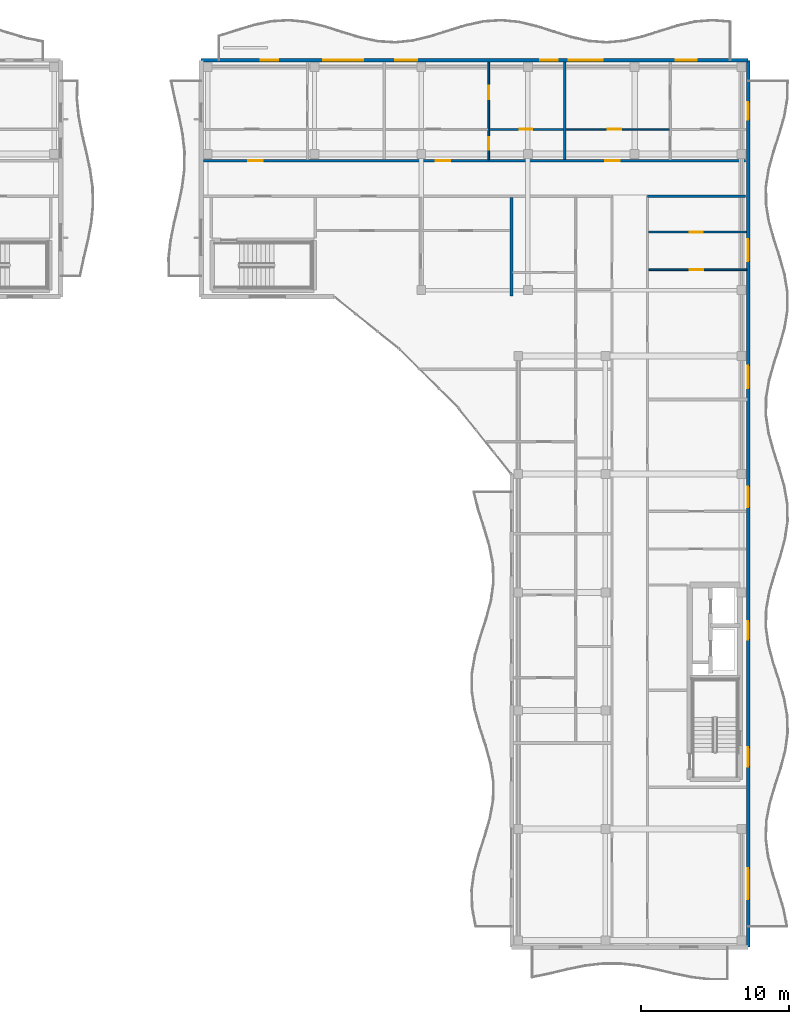
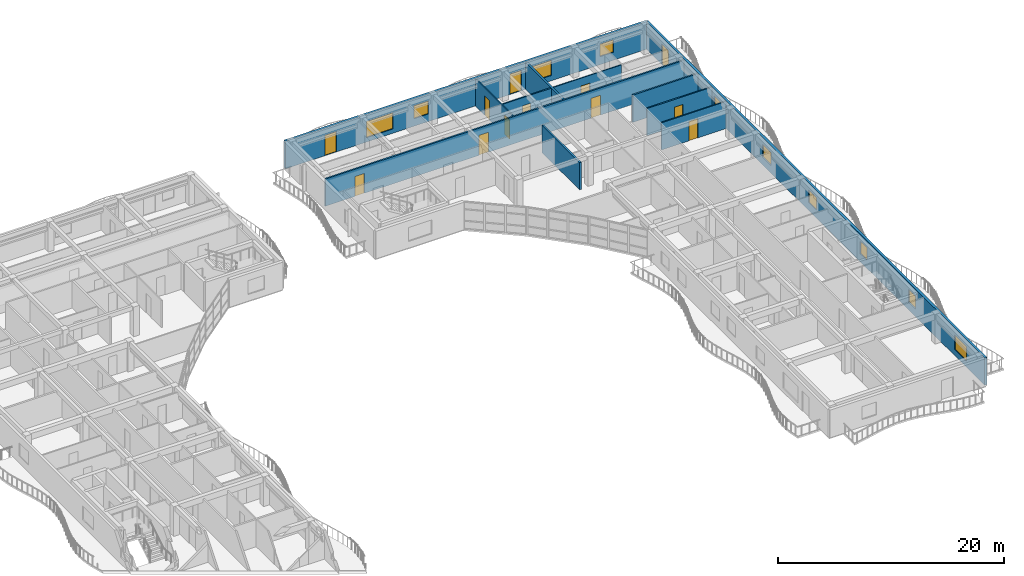
# One storey, part 45 of 71: 12 doors, 11 walls, 10 windows, 22 openings.
"""IFC4 building model written with IfcOpenShell, lengths in metres."""

from ifc_helpers import new_model, si_unit, direction, frame, frame_2d, origin, place, context, subcontext, project, spatial, rectangle, extrude, material, layer, layer_set, type_object, element, fill, save


model = new_model("IFC4")

# Units and contexts
model_context = context("Model", 3, precision=1e-05, world=origin(), true_north=direction((0.0, 1.0)))
body_context = subcontext(model_context, "Body", "Model", "MODEL_VIEW")
ifc_project = project(units=[si_unit("LENGTHUNIT", "METRE"), si_unit("AREAUNIT", "SQUARE_METRE"), si_unit("VOLUMEUNIT", "CUBIC_METRE"), si_unit("PLANEANGLEUNIT", "RADIAN"), si_unit("MASSUNIT", "GRAM", prefix="KILO")], contexts=[model_context])

# Site, building, storey
site_placement = place(None, origin())
site = spatial("IfcSite", under=ifc_project, at=site_placement, CompositionType="ELEMENT")
building_placement = place(site_placement, origin())
building = spatial("IfcBuilding", under=site, at=building_placement, Name="Keldmere Railside Commons", CompositionType="ELEMENT")
storey_placement = place(building_placement, frame((0.0, 0.0, 20.159912109375)))
storey = spatial("IfcBuildingStorey", under=building, at=storey_placement, Name="L06", CompositionType="ELEMENT", Elevation=20.159912109375)

# Walls
ifc_material_1 = material(Name="Acoustic Gypsum Board Partition", Category="gypsum")
ifc_layer_1 = layer(ifc_material_1, 0.179931640625, Name="Acoustic Demising Partition 180")
ifc_layer_set_1 = layer_set([ifc_layer_1], Name="Acoustic Gypsum Board Partition")
wall_type_1 = type_object("IfcWallType", Name="Acoustic Demising Partition 180", PredefinedType="PARTITIONING", material=ifc_layer_set_1)
wall_1_placement = place(storey_placement, frame((168.0, 100.050048828125, 0.0), z_axis=(0.0, 0.0, 1.0), x_axis=(0.0, 1.0, 0.0)))
element("IfcWall", 1, at=wall_1_placement, inside=storey, type_object=wall_type_1, Name="IW-1 IW-L06-1644", PredefinedType="PARTITIONING", context=body_context, shape_type="SweptSolid", body=[
    extrude(rectangle(XDim=6.669921875, YDim=0.179931640625, at=frame_2d((3.3349609375, 0.0))), origin(), (0.0, 0.0, 1.0), 2.93505859375),
])
wall_2_placement = place(storey_placement, frame((171.610107421875, 109.280029296875, 0.0), z_axis=(0.0, 0.0, 1.0), x_axis=(0.0, 1.0, 0.0)))
element("IfcWall", 2, at=wall_2_placement, inside=storey, type_object=wall_type_1, Name="IW-1 IW-L06-1661", PredefinedType="PARTITIONING", context=body_context, shape_type="SweptSolid", body=[
    extrude(rectangle(XDim=6.599853515625, YDim=0.179931640625, at=frame_2d((3.2998046875, 0.0))), origin(), (0.0, 0.0, 1.0), 2.93505859375),
])

# Wall, openings, doors
ifc_layer_2 = layer(ifc_material_1, 0.1201171875, Name="Apartment Interior Partition 120")
ifc_layer_set_2 = layer_set([ifc_layer_2], Name="Acoustic Gypsum Board Partition")
wall_type_2 = type_object("IfcWallType", Name="Apartment Interior Partition 120", PredefinedType="PARTITIONING", material=ifc_layer_set_2)
wall_3_placement = place(storey_placement, frame((166.4599609375, 109.280029296875, 0.0), z_axis=(0.0, 0.0, 1.0), x_axis=(0.0, 1.0, 0.0)))
wall_3 = element("IfcWall", 3, at=wall_3_placement, inside=storey, type_object=wall_type_2, Name="IW-4 IW-L06-1665", PredefinedType="PARTITIONING", context=body_context, shape_type="SweptSolid", body=[
    extrude(rectangle(XDim=6.599853515625, YDim=0.1201171875, at=frame_2d((3.2998046875, 0.0))), origin(), (0.0, 0.0, 1.0), 2.93505859375),
])
opening_1_placement = place(wall_3_placement, frame((0.656005859375, 0.0, 0.0)))
opening_1 = element("IfcOpeningElement", 4, at=opening_1_placement, cuts=wall_3, Name="Opening ID-04", PredefinedType="OPENING", context=body_context, shape_type="SweptSolid", body=[
    extrude(rectangle(XDim=0.860107421875, YDim=2.10009765625, at=frame_2d((0.43017578125, 1.050048828125))), frame((0.0, 0.070068359375, 0.0), z_axis=(0.0, -1.0, 0.0), x_axis=(1.0, 0.0, 0.0)), (0.0, 0.0, 1.0), 0.14013671875),
])
opening_2_placement = place(wall_3_placement, frame((4.097412109375, 0.0, 0.0)))
opening_2 = element("IfcOpeningElement", 5, at=opening_2_placement, cuts=wall_3, Name="Opening ID-01", PredefinedType="OPENING", context=body_context, shape_type="SweptSolid", body=[
    extrude(rectangle(XDim=0.89990234375, YDim=2.10009765625, at=frame_2d((0.449951171875, 1.050048828125))), frame((0.0, 0.070068359375, 0.0), z_axis=(0.0, -1.0, 0.0), x_axis=(1.0, 0.0, 0.0)), (0.0, 0.0, 1.0), 0.14013671875),
])
ifc_material_2 = material(Name="Engineered Oak Timber", Category="wood")
door_type_1 = type_object("IfcDoorType", Name="Apartment Bathroom Door 860x2100", OperationType="NOTDEFINED", PredefinedType="DOOR", material=ifc_material_2)
door_1_placement = place(opening_1_placement, origin())
door_1 = element("IfcDoor", 6, at=door_1_placement, inside=storey, type_object=door_type_1, Name="ID-04 IDR-L06-1511", OperationType="SINGLE_SWING_LEFT", OverallHeight=2.10009765625, OverallWidth=0.860107421875, PredefinedType="DOOR", context=body_context, shape_type="SweptSolid", body=[
    extrude(rectangle(XDim=0.860107421875, YDim=2.10009765625, at=frame_2d((0.43017578125, 1.050048828125))), frame((0.0, 0.02490234375, 0.0), z_axis=(0.0, -1.0, 0.0), x_axis=(1.0, 0.0, 0.0)), (0.0, 0.0, 1.0), 0.050048828125),
])
fill(opening_1, door_1)
door_type_2 = type_object("IfcDoorType", Name="Primary Bedroom Door 900x2100", OperationType="NOTDEFINED", PredefinedType="DOOR", material=ifc_material_2)
door_2_placement = place(opening_2_placement, origin())
door_2 = element("IfcDoor", 7, at=door_2_placement, inside=storey, type_object=door_type_2, Name="ID-01 IDR-L06-1512", OperationType="SINGLE_SWING_RIGHT", OverallHeight=2.10009765625, OverallWidth=0.89990234375, PredefinedType="DOOR", context=body_context, shape_type="SweptSolid", body=[
    extrude(rectangle(XDim=0.89990234375, YDim=2.10009765625, at=frame_2d((0.449951171875, 1.050048828125))), frame((0.0, 0.02490234375, 0.0), z_axis=(0.0, -1.0, 0.0), x_axis=(1.0, 0.0, 0.0)), (0.0, 0.0, 1.0), 0.050048828125),
])
fill(opening_2, door_2)

# Wall, opening, door
wall_4_placement = place(storey_placement, frame((177.280029296875, 101.820068359375, 0.0), z_axis=(0.0, 0.0, 1.0), x_axis=(1.0, 0.0, 0.0)))
wall_4 = element("IfcWall", 8, at=wall_4_placement, inside=storey, type_object=wall_type_2, Name="IW-4 IW-L06-1677", PredefinedType="PARTITIONING", context=body_context, shape_type="SweptSolid", body=[
    extrude(rectangle(XDim=6.6298828125, YDim=0.1201171875, at=frame_2d((3.31494140625, 0.0))), origin(), (0.0, 0.0, 1.0), 2.93505859375),
])
opening_3_placement = place(wall_4_placement, frame((2.78466796875, 0.0, 0.0)))
opening_3 = element("IfcOpeningElement", 9, at=opening_3_placement, cuts=wall_4, Name="Opening ID-03", PredefinedType="OPENING", context=body_context, shape_type="SweptSolid", body=[
    extrude(rectangle(XDim=0.919921875, YDim=2.10009765625, at=frame_2d((0.4599609375, 1.050048828125))), frame((0.0, 0.070068359375, 0.0), z_axis=(0.0, -1.0, 0.0), x_axis=(1.0, 0.0, 0.0)), (0.0, 0.0, 1.0), 0.14013671875),
])
door_type_3 = type_object("IfcDoorType", Name="Kitchen Pocket-Frame Swing Door 920x2100", OperationType="NOTDEFINED", PredefinedType="DOOR", material=ifc_material_2)
door_3_placement = place(opening_3_placement, origin())
door_3 = element("IfcDoor", 10, at=door_3_placement, inside=storey, type_object=door_type_3, Name="ID-03 IDR-L06-1528", OperationType="SINGLE_SWING_RIGHT", OverallHeight=2.10009765625, OverallWidth=0.919921875, PredefinedType="DOOR", context=body_context, shape_type="SweptSolid", body=[
    extrude(rectangle(XDim=0.919921875, YDim=2.10009765625, at=frame_2d((0.4599609375, 1.050048828125))), frame((0.0, 0.02490234375, 0.0), z_axis=(0.0, -1.0, 0.0), x_axis=(1.0, 0.0, 0.0)), (0.0, 0.0, 1.0), 0.050048828125),
])
fill(opening_3, door_3)

ifc_layer_3 = layer(ifc_material_1, 0.10009765625, Name="Closet Light Partition 100")
ifc_layer_set_3 = layer_set([ifc_layer_3], Name="Acoustic Gypsum Board Partition")
wall_type_3 = type_object("IfcWallType", Name="Closet Light Partition 100", PredefinedType="PARTITIONING", material=ifc_layer_set_3)
wall_5_placement = place(storey_placement, frame((171.699951171875, 111.330078125, 0.0), z_axis=(0.0, 0.0, 1.0), x_axis=(1.0, 0.0, 0.0)))
wall_5 = element("IfcWall", 11, at=wall_5_placement, inside=storey, type_object=wall_type_3, Name="IW-6 IW-L06-1670", PredefinedType="PARTITIONING", context=body_context, shape_type="SweptSolid", body=[
    extrude(rectangle(XDim=6.97998046875, YDim=0.10009765625, at=frame_2d((3.489990234375, 0.0))), origin(), (0.0, 0.0, 1.0), 2.93505859375),
])
opening_4_placement = place(wall_5_placement, frame((2.81591796875, 0.0, 0.0)))
opening_4 = element("IfcOpeningElement", 12, at=opening_4_placement, cuts=wall_5, Name="Opening ID-03", PredefinedType="OPENING", context=body_context, shape_type="SweptSolid", body=[
    extrude(rectangle(XDim=0.919921875, YDim=2.10009765625, at=frame_2d((0.4599609375, 1.050048828125))), frame((0.0, 0.06005859375, 0.0), z_axis=(0.0, -1.0, 0.0), x_axis=(1.0, 0.0, 0.0)), (0.0, 0.0, 1.0), 0.1201171875),
])
door_4_placement = place(opening_4_placement, origin())
door_4 = element("IfcDoor", 13, at=door_4_placement, inside=storey, type_object=door_type_3, Name="ID-03 IDR-L06-1515", OperationType="SINGLE_SWING_LEFT", OverallHeight=2.10009765625, OverallWidth=0.919921875, PredefinedType="DOOR", context=body_context, shape_type="SweptSolid", body=[
    extrude(rectangle(XDim=0.919921875, YDim=2.10009765625, at=frame_2d((0.4599609375, 1.050048828125))), frame((0.0, 0.02490234375, 0.0), z_axis=(0.0, -1.0, 0.0), x_axis=(1.0, 0.0, 0.0)), (0.0, 0.0, 1.0), 0.050048828125),
])
fill(opening_4, door_4)

# Wall
ifc_layer_4 = layer(ifc_material_1, 0.159912109375, Name="Corridor Fire Partition 160")
ifc_layer_set_4 = layer_set([ifc_layer_4], Name="Acoustic Gypsum Board Partition")
wall_type_4 = type_object("IfcWallType", Name="Corridor Fire Partition 160", PredefinedType="PARTITIONING", material=ifc_layer_set_4)
wall_6_placement = place(storey_placement, frame((177.199951171875, 106.800048828125, 0.0), z_axis=(0.0, 0.0, 1.0), x_axis=(1.0, 0.0, 0.0)))
element("IfcWall", 14, at=wall_6_placement, inside=storey, type_object=wall_type_4, Name="IW-2 IW-L06-1642", PredefinedType="PARTITIONING", context=body_context, shape_type="SweptSolid", body=[
    extrude(rectangle(XDim=6.64013671875, YDim=0.159912109375, at=frame_2d((3.320068359375, 0.0))), origin(), (0.0, 0.0, 1.0), 2.93505859375),
])

# Wall, openings, doors
wall_7_placement = place(storey_placement, frame((147.159912109375, 109.199951171875, 0.0), z_axis=(0.0, 0.0, 1.0), x_axis=(1.0, 0.0, 0.0)))
wall_7 = element("IfcWall", 15, at=wall_7_placement, inside=storey, type_object=wall_type_4, Name="IW-2 IW-L06-1643", PredefinedType="PARTITIONING", context=body_context, shape_type="SweptSolid", body=[
    extrude(rectangle(XDim=36.68017578125, YDim=0.159912109375, at=frame_2d((18.340087890625, 0.0))), origin(), (0.0, 0.0, 1.0), 2.93505859375),
])
opening_5_placement = place(wall_7_placement, frame((3.030029296875, 0.0, 0.0)))
opening_5 = element("IfcOpeningElement", 16, at=opening_5_placement, cuts=wall_7, Name="Opening FD-7", PredefinedType="OPENING", context=body_context, shape_type="SweptSolid", body=[
    extrude(rectangle(XDim=0.97998046875, YDim=2.14990234375, at=frame_2d((0.489990234375, 1.074951171875))), frame((0.0, 0.08984375, 0.0), z_axis=(0.0, -1.0, 0.0), x_axis=(1.0, 0.0, 0.0)), (0.0, 0.0, 1.0), 0.179931640625),
])
opening_6_placement = place(wall_7_placement, frame((15.719970703125, 0.0, 0.0)))
opening_6 = element("IfcOpeningElement", 17, at=opening_6_placement, cuts=wall_7, Name="Opening FD-7", PredefinedType="OPENING", context=body_context, shape_type="SweptSolid", body=[
    extrude(rectangle(XDim=0.97998046875, YDim=2.14990234375, at=frame_2d((0.489990234375, 1.074951171875))), frame((0.0, 0.08984375, 0.0), z_axis=(0.0, -1.0, 0.0), x_axis=(1.0, 0.0, 0.0)), (0.0, 0.0, 1.0), 0.179931640625),
])
opening_7_placement = place(wall_7_placement, frame((27.169921875, 0.0, 0.0)))
opening_7 = element("IfcOpeningElement", 18, at=opening_7_placement, cuts=wall_7, Name="Opening FD-7", PredefinedType="OPENING", context=body_context, shape_type="SweptSolid", body=[
    extrude(rectangle(XDim=0.97998046875, YDim=2.14990234375, at=frame_2d((0.489990234375, 1.074951171875))), frame((0.0, 0.08984375, 0.0), z_axis=(0.0, -1.0, 0.0), x_axis=(1.0, 0.0, 0.0)), (0.0, 0.0, 1.0), 0.179931640625),
])
door_type_4 = type_object("IfcDoorType", Name="Apartment Entrance Acoustic Fire Door 980x2150", OperationType="NOTDEFINED", PredefinedType="DOOR", material=ifc_material_2)
door_5_placement = place(opening_5_placement, origin())
door_5 = element("IfcDoor", 19, at=door_5_placement, inside=storey, type_object=door_type_4, Name="FD-7 IDR-L06-1504", OperationType="SINGLE_SWING_RIGHT", OverallHeight=2.14990234375, OverallWidth=0.97998046875, PredefinedType="DOOR", context=body_context, shape_type="SweptSolid", body=[
    extrude(rectangle(XDim=0.97998046875, YDim=2.14990234375, at=frame_2d((0.489990234375, 1.074951171875))), frame((0.0, 0.02490234375, 0.0), z_axis=(0.0, -1.0, 0.0), x_axis=(1.0, 0.0, 0.0)), (0.0, 0.0, 1.0), 0.050048828125),
])
fill(opening_5, door_5)
door_6_placement = place(opening_6_placement, origin())
door_6 = element("IfcDoor", 20, at=door_6_placement, inside=storey, type_object=door_type_4, Name="FD-7 IDR-L06-1509", OperationType="SINGLE_SWING_LEFT", OverallHeight=2.14990234375, OverallWidth=0.97998046875, PredefinedType="DOOR", context=body_context, shape_type="SweptSolid", body=[
    extrude(rectangle(XDim=0.97998046875, YDim=2.14990234375, at=frame_2d((0.489990234375, 1.074951171875))), frame((0.0, 0.02490234375, 0.0), z_axis=(0.0, -1.0, 0.0), x_axis=(1.0, 0.0, 0.0)), (0.0, 0.0, 1.0), 0.050048828125),
])
fill(opening_6, door_6)
door_7_placement = place(opening_7_placement, origin())
door_7 = element("IfcDoor", 21, at=door_7_placement, inside=storey, type_object=door_type_4, Name="FD-7 IDR-L06-1514", OperationType="SINGLE_SWING_RIGHT", OverallHeight=2.14990234375, OverallWidth=0.97998046875, PredefinedType="DOOR", context=body_context, shape_type="SweptSolid", body=[
    extrude(rectangle(XDim=0.97998046875, YDim=2.14990234375, at=frame_2d((0.489990234375, 1.074951171875))), frame((0.0, 0.02490234375, 0.0), z_axis=(0.0, -1.0, 0.0), x_axis=(1.0, 0.0, 0.0)), (0.0, 0.0, 1.0), 0.050048828125),
])
fill(opening_7, door_7)

# Wall, openings, door, windows
ifc_material_3 = material(Name="Architectural Precast Concrete H-35 (C35/45)", Category="concrete")
ifc_layer_5 = layer(ifc_material_3, 0.239990234375, Name="Sand-Ochre Precast Cavity Wall 240")
ifc_layer_set_5 = layer_set([ifc_layer_5], Name="Architectural Precast Concrete H-35 (C35/45)")
wall_type_5 = type_object("IfcWallType", Name="Sand-Ochre Precast Cavity Wall 240", PredefinedType="SOLIDWALL", material=ifc_layer_set_5)
wall_8_placement = place(storey_placement, frame((184.0, 116.0, 0.0), z_axis=(0.0, 0.0, 1.0), x_axis=(0.0, -1.0, 0.0)))
wall_8 = element("IfcWall", 22, at=wall_8_placement, inside=storey, type_object=wall_type_5, Name="EW-2 EXTA-L06-0918", PredefinedType="SOLIDWALL", context=body_context, shape_type="SweptSolid", body=[
    extrude(rectangle(XDim=60.0, YDim=0.239990234375, at=frame_2d((30.0, 0.0))), origin(), (0.0, 0.0, 1.0), 2.97998046875),
])
opening_8_placement = place(wall_8_placement, frame((2.835693359375, 0.0, 0.0)))
opening_8 = element("IfcOpeningElement", 23, at=opening_8_placement, cuts=wall_8, Name="Opening BD-01", PredefinedType="OPENING", context=body_context, shape_type="SweptSolid", body=[
    extrude(rectangle(XDim=1.199951171875, YDim=2.199951171875, at=frame_2d((0.60009765625, 1.10009765625))), frame((0.0, 0.1298828125, 0.0), z_axis=(0.0, -1.0, 0.0), x_axis=(1.0, 0.0, 0.0)), (0.0, 0.0, 1.0), 0.260009765625),
])
opening_9_placement = place(wall_8_placement, frame((12.107177734375, 0.0, 0.820068359375)))
opening_9 = element("IfcOpeningElement", 24, at=opening_9_placement, cuts=wall_8, Name="Opening WN-06", PredefinedType="OPENING", context=body_context, shape_type="SweptSolid", body=[
    extrude(rectangle(XDim=1.5, YDim=1.39990234375, at=frame_2d((0.75, 0.699951171875))), frame((0.0, 0.1298828125, 0.0), z_axis=(0.0, -1.0, 0.0), x_axis=(1.0, 0.0, 0.0)), (0.0, 0.0, 1.0), 0.260009765625),
])
opening_10_placement = place(wall_8_placement, frame((20.653564453125, 0.0, 0.820068359375)))
opening_10 = element("IfcOpeningElement", 25, at=opening_10_placement, cuts=wall_8, Name="Opening WN-07", PredefinedType="OPENING", context=body_context, shape_type="SweptSolid", body=[
    extrude(rectangle(XDim=1.550048828125, YDim=1.39990234375, at=frame_2d((0.77490234375, 0.699951171875))), frame((0.0, 0.1298828125, 0.0), z_axis=(0.0, -1.0, 0.0), x_axis=(1.0, 0.0, 0.0)), (0.0, 0.0, 1.0), 0.260009765625),
])
opening_11_placement = place(wall_8_placement, frame((28.85009765625, 0.0, 0.8701171875)))
opening_11 = element("IfcOpeningElement", 26, at=opening_11_placement, cuts=wall_8, Name="Opening WN-08", PredefinedType="OPENING", context=body_context, shape_type="SweptSolid", body=[
    extrude(rectangle(XDim=1.39990234375, YDim=1.35009765625, at=frame_2d((0.699951171875, 0.675048828125))), frame((0.0, 0.1298828125, 0.0), z_axis=(0.0, -1.0, 0.0), x_axis=(1.0, 0.0, 0.0)), (0.0, 0.0, 1.0), 0.260009765625),
])
opening_12_placement = place(wall_8_placement, frame((37.9462890625, 0.0, 0.8701171875)))
opening_12 = element("IfcOpeningElement", 27, at=opening_12_placement, cuts=wall_8, Name="Opening WN-09", PredefinedType="OPENING", context=body_context, shape_type="SweptSolid", body=[
    extrude(rectangle(XDim=1.25, YDim=1.35009765625, at=frame_2d((0.625, 0.675048828125))), frame((0.0, 0.1298828125, 0.0), z_axis=(0.0, -1.0, 0.0), x_axis=(1.0, 0.0, 0.0)), (0.0, 0.0, 1.0), 0.260009765625),
])
opening_13_placement = place(wall_8_placement, frame((46.492919921875, 0.0, 0.820068359375)))
opening_13 = element("IfcOpeningElement", 28, at=opening_13_placement, cuts=wall_8, Name="Opening WN-10", PredefinedType="OPENING", context=body_context, shape_type="SweptSolid", body=[
    extrude(rectangle(XDim=1.300048828125, YDim=1.39990234375, at=frame_2d((0.64990234375, 0.699951171875))), frame((0.0, 0.1298828125, 0.0), z_axis=(0.0, -1.0, 0.0), x_axis=(1.0, 0.0, 0.0)), (0.0, 0.0, 1.0), 0.260009765625),
])
opening_14_placement = place(wall_8_placement, frame((54.664306640625, 0.0, 0.669921875)))
opening_14 = element("IfcOpeningElement", 29, at=opening_14_placement, cuts=wall_8, Name="Opening WN-11", PredefinedType="OPENING", context=body_context, shape_type="SweptSolid", body=[
    extrude(rectangle(XDim=2.10009765625, YDim=1.550048828125, at=frame_2d((1.050048828125, 0.77490234375))), frame((0.0, 0.1298828125, 0.0), z_axis=(0.0, -1.0, 0.0), x_axis=(1.0, 0.0, 0.0)), (0.0, 0.0, 1.0), 0.260009765625),
])
ifc_material_4 = material(Name="Thermally Broken Aluminium", Category="aluminium")
door_type_5 = type_object("IfcDoorType", Name="Apartment Living Wave-Balcony Glazed Door 1200x2200", OperationType="NOTDEFINED", PredefinedType="DOOR", material=ifc_material_4)
door_8_placement = place(opening_8_placement, origin())
door_8 = element("IfcDoor", 30, at=door_8_placement, inside=storey, type_object=door_type_5, Name="BD-01 DR-L06-0251", OperationType="SINGLE_SWING_LEFT", OverallHeight=2.199951171875, OverallWidth=1.199951171875, PredefinedType="DOOR", context=body_context, shape_type="SweptSolid", body=[
    extrude(rectangle(XDim=1.199951171875, YDim=2.199951171875, at=frame_2d((0.60009765625, 1.10009765625))), frame((0.0, 0.02490234375, 0.0), z_axis=(0.0, -1.0, 0.0), x_axis=(1.0, 0.0, 0.0)), (0.0, 0.0, 1.0), 0.050048828125),
])
fill(opening_8, door_8)
ifc_material_5 = material(Name="Low-E Insulated Double Glazing", Category="glass")
window_type_1 = type_object("IfcWindowType", Name="Primary Bedroom East/West Window 1400x1350", PartitioningType="SINGLE_PANEL", PredefinedType="WINDOW", material=ifc_material_5)
window_1_placement = place(opening_11_placement, origin())
window_1 = element("IfcWindow", 31, at=window_1_placement, inside=storey, type_object=window_type_1, Name="WN-08 WIN-L06-0687", OverallHeight=1.35009765625, OverallWidth=1.39990234375, PartitioningType="SINGLE_PANEL", PredefinedType="WINDOW", context=body_context, shape_type="SweptSolid", body=[
    extrude(rectangle(XDim=1.39990234375, YDim=1.35009765625, at=frame_2d((0.699951171875, 0.675048828125))), frame((0.0, 0.030029296875, 0.0), z_axis=(0.0, -1.0, 0.0), x_axis=(1.0, 0.0, 0.0)), (0.0, 0.0, 1.0), 0.06005859375),
])
fill(opening_11, window_1)
window_type_2 = type_object("IfcWindowType", Name="Primary Bedroom North Window 1500x1400", PartitioningType="SINGLE_PANEL", PredefinedType="WINDOW", material=ifc_material_5)
window_2_placement = place(opening_9_placement, origin())
window_2 = element("IfcWindow", 32, at=window_2_placement, inside=storey, type_object=window_type_2, Name="WN-06 WIN-L06-0685", OverallHeight=1.39990234375, OverallWidth=1.5, PartitioningType="SINGLE_PANEL", PredefinedType="WINDOW", context=body_context, shape_type="SweptSolid", body=[
    extrude(rectangle(XDim=1.5, YDim=1.39990234375, at=frame_2d((0.75, 0.699951171875))), frame((0.0, 0.030029296875, 0.0), z_axis=(0.0, -1.0, 0.0), x_axis=(1.0, 0.0, 0.0)), (0.0, 0.0, 1.0), 0.06005859375),
])
fill(opening_9, window_2)
window_type_3 = type_object("IfcWindowType", Name="Primary Bedroom South Window 1550x1400", PartitioningType="SINGLE_PANEL", PredefinedType="WINDOW", material=ifc_material_5)
window_3_placement = place(opening_10_placement, origin())
window_3 = element("IfcWindow", 33, at=window_3_placement, inside=storey, type_object=window_type_3, Name="WN-07 WIN-L06-0686", OverallHeight=1.39990234375, OverallWidth=1.550048828125, PartitioningType="SINGLE_PANEL", PredefinedType="WINDOW", context=body_context, shape_type="SweptSolid", body=[
    extrude(rectangle(XDim=1.550048828125, YDim=1.39990234375, at=frame_2d((0.77490234375, 0.699951171875))), frame((0.0, 0.030029296875, 0.0), z_axis=(0.0, -1.0, 0.0), x_axis=(1.0, 0.0, 0.0)), (0.0, 0.0, 1.0), 0.06005859375),
])
fill(opening_10, window_3)
window_type_4 = type_object("IfcWindowType", Name="Secondary Bedroom Court Window 1300x1400", PartitioningType="SINGLE_PANEL", PredefinedType="WINDOW", material=ifc_material_5)
window_4_placement = place(opening_13_placement, origin())
window_4 = element("IfcWindow", 34, at=window_4_placement, inside=storey, type_object=window_type_4, Name="WN-10 WIN-L06-0689", OverallHeight=1.39990234375, OverallWidth=1.300048828125, PartitioningType="SINGLE_PANEL", PredefinedType="WINDOW", context=body_context, shape_type="SweptSolid", body=[
    extrude(rectangle(XDim=1.300048828125, YDim=1.39990234375, at=frame_2d((0.64990234375, 0.699951171875))), frame((0.0, 0.030029296875, 0.0), z_axis=(0.0, -1.0, 0.0), x_axis=(1.0, 0.0, 0.0)), (0.0, 0.0, 1.0), 0.06005859375),
])
fill(opening_13, window_4)
window_type_5 = type_object("IfcWindowType", Name="Secondary Bedroom Window 1250x1350", PartitioningType="SINGLE_PANEL", PredefinedType="WINDOW", material=ifc_material_5)
window_5_placement = place(opening_12_placement, origin())
window_5 = element("IfcWindow", 35, at=window_5_placement, inside=storey, type_object=window_type_5, Name="WN-09 WIN-L06-0688", OverallHeight=1.35009765625, OverallWidth=1.25, PartitioningType="SINGLE_PANEL", PredefinedType="WINDOW", context=body_context, shape_type="SweptSolid", body=[
    extrude(rectangle(XDim=1.25, YDim=1.35009765625, at=frame_2d((0.625, 0.675048828125))), frame((0.0, 0.030029296875, 0.0), z_axis=(0.0, -1.0, 0.0), x_axis=(1.0, 0.0, 0.0)), (0.0, 0.0, 1.0), 0.06005859375),
])
fill(opening_12, window_5)
window_type_6 = type_object("IfcWindowType", Name="Studio Wide Casement Window 2100x1550", PartitioningType="SINGLE_PANEL", PredefinedType="WINDOW", material=ifc_material_5)
window_6_placement = place(opening_14_placement, origin())
window_6 = element("IfcWindow", 36, at=window_6_placement, inside=storey, type_object=window_type_6, Name="WN-11 WIN-L06-0690", OverallHeight=1.550048828125, OverallWidth=2.10009765625, PartitioningType="SINGLE_PANEL", PredefinedType="WINDOW", context=body_context, shape_type="SweptSolid", body=[
    extrude(rectangle(XDim=2.10009765625, YDim=1.550048828125, at=frame_2d((1.050048828125, 0.77490234375))), frame((0.0, 0.030029296875, 0.0), z_axis=(0.0, -1.0, 0.0), x_axis=(1.0, 0.0, 0.0)), (0.0, 0.0, 1.0), 0.06005859375),
])
fill(opening_14, window_6)

# Wall, openings, doors, windows
wall_9_placement = place(storey_placement, frame((147.0, 116.0, 0.0), z_axis=(0.0, 0.0, 1.0), x_axis=(1.0, 0.0, 0.0)))
wall_9 = element("IfcWall", 37, at=wall_9_placement, inside=storey, type_object=wall_type_5, Name="EW-2 EXTA-L06-0919", PredefinedType="SOLIDWALL", context=body_context, shape_type="SweptSolid", body=[
    extrude(rectangle(XDim=37.0, YDim=0.239990234375, at=frame_2d((18.5, 0.0))), origin(), (0.0, 0.0, 1.0), 2.97998046875),
])
opening_15_placement = place(wall_9_placement, frame((4.02490234375, 0.0, 0.0)))
opening_15 = element("IfcOpeningElement", 38, at=opening_15_placement, cuts=wall_9, Name="Opening BD-01", PredefinedType="OPENING", context=body_context, shape_type="SweptSolid", body=[
    extrude(rectangle(XDim=1.199951171875, YDim=2.199951171875, at=frame_2d((0.60009765625, 1.10009765625))), frame((0.0, 0.1298828125, 0.0), z_axis=(0.0, -1.0, 0.0), x_axis=(1.0, 0.0, 0.0)), (0.0, 0.0, 1.0), 0.260009765625),
])
opening_16_placement = place(wall_9_placement, frame((8.27490234375, 0.0, 0.469970703125)))
opening_16 = element("IfcOpeningElement", 39, at=opening_16_placement, cuts=wall_9, Name="Opening WN-19", PredefinedType="OPENING", context=body_context, shape_type="SweptSolid", body=[
    extrude(rectangle(XDim=2.699951171875, YDim=1.75, at=frame_2d((1.35009765625, 0.875))), frame((0.0, 0.1298828125, 0.0), z_axis=(0.0, -1.0, 0.0), x_axis=(1.0, 0.0, 0.0)), (0.0, 0.0, 1.0), 0.260009765625),
])
opening_17_placement = place(wall_9_placement, frame((13.125, 0.0, 0.820068359375)))
opening_17 = element("IfcOpeningElement", 40, at=opening_17_placement, cuts=wall_9, Name="Opening WN-06", PredefinedType="OPENING", context=body_context, shape_type="SweptSolid", body=[
    extrude(rectangle(XDim=1.5, YDim=1.39990234375, at=frame_2d((0.75, 0.699951171875))), frame((0.0, 0.1298828125, 0.0), z_axis=(0.0, -1.0, 0.0), x_axis=(1.0, 0.0, 0.0)), (0.0, 0.0, 1.0), 0.260009765625),
])
opening_18_placement = place(wall_9_placement, frame((22.925048828125, 0.0, 0.0)))
opening_18 = element("IfcOpeningElement", 41, at=opening_18_placement, cuts=wall_9, Name="Opening BD-01", PredefinedType="OPENING", context=body_context, shape_type="SweptSolid", body=[
    extrude(rectangle(XDim=1.199951171875, YDim=2.199951171875, at=frame_2d((0.60009765625, 1.10009765625))), frame((0.0, 0.1298828125, 0.0), z_axis=(0.0, -1.0, 0.0), x_axis=(1.0, 0.0, 0.0)), (0.0, 0.0, 1.0), 0.260009765625),
])
opening_19_placement = place(wall_9_placement, frame((24.875, 0.0, 0.570068359375)))
opening_19 = element("IfcOpeningElement", 42, at=opening_19_placement, cuts=wall_9, Name="Opening WN-23", PredefinedType="OPENING", context=body_context, shape_type="SweptSolid", body=[
    extrude(rectangle(XDim=2.300048828125, YDim=1.64990234375, at=frame_2d((1.14990234375, 0.824951171875))), frame((0.0, 0.1298828125, 0.0), z_axis=(0.0, -1.0, 0.0), x_axis=(1.0, 0.0, 0.0)), (0.0, 0.0, 1.0), 0.260009765625),
])
opening_20_placement = place(wall_9_placement, frame((32.125, 0.0, 0.8701171875)))
opening_20 = element("IfcOpeningElement", 43, at=opening_20_placement, cuts=wall_9, Name="Opening WN-08", PredefinedType="OPENING", context=body_context, shape_type="SweptSolid", body=[
    extrude(rectangle(XDim=1.39990234375, YDim=1.35009765625, at=frame_2d((0.699951171875, 0.675048828125))), frame((0.0, 0.1298828125, 0.0), z_axis=(0.0, -1.0, 0.0), x_axis=(1.0, 0.0, 0.0)), (0.0, 0.0, 1.0), 0.260009765625),
])
door_9_placement = place(opening_15_placement, origin())
door_9 = element("IfcDoor", 44, at=door_9_placement, inside=storey, type_object=door_type_5, Name="BD-01 DR-L06-0252", OperationType="SINGLE_SWING_RIGHT", OverallHeight=2.199951171875, OverallWidth=1.199951171875, PredefinedType="DOOR", context=body_context, shape_type="SweptSolid", body=[
    extrude(rectangle(XDim=1.199951171875, YDim=2.199951171875, at=frame_2d((0.60009765625, 1.10009765625))), frame((0.0, 0.02490234375, 0.0), z_axis=(0.0, -1.0, 0.0), x_axis=(1.0, 0.0, 0.0)), (0.0, 0.0, 1.0), 0.050048828125),
])
fill(opening_15, door_9)
door_10_placement = place(opening_18_placement, origin())
door_10 = element("IfcDoor", 45, at=door_10_placement, inside=storey, type_object=door_type_5, Name="BD-01 DR-L06-0253", OperationType="SINGLE_SWING_LEFT", OverallHeight=2.199951171875, OverallWidth=1.199951171875, PredefinedType="DOOR", context=body_context, shape_type="SweptSolid", body=[
    extrude(rectangle(XDim=1.199951171875, YDim=2.199951171875, at=frame_2d((0.60009765625, 1.10009765625))), frame((0.0, 0.02490234375, 0.0), z_axis=(0.0, -1.0, 0.0), x_axis=(1.0, 0.0, 0.0)), (0.0, 0.0, 1.0), 0.050048828125),
])
fill(opening_18, door_10)
window_7_placement = place(opening_20_placement, origin())
window_7 = element("IfcWindow", 46, at=window_7_placement, inside=storey, type_object=window_type_1, Name="WN-08 WIN-L06-0694", OverallHeight=1.35009765625, OverallWidth=1.39990234375, PartitioningType="SINGLE_PANEL", PredefinedType="WINDOW", context=body_context, shape_type="SweptSolid", body=[
    extrude(rectangle(XDim=1.39990234375, YDim=1.35009765625, at=frame_2d((0.699951171875, 0.675048828125))), frame((0.0, 0.030029296875, 0.0), z_axis=(0.0, -1.0, 0.0), x_axis=(1.0, 0.0, 0.0)), (0.0, 0.0, 1.0), 0.06005859375),
])
fill(opening_20, window_7)
window_8_placement = place(opening_17_placement, origin())
window_8 = element("IfcWindow", 47, at=window_8_placement, inside=storey, type_object=window_type_2, Name="WN-06 WIN-L06-0692", OverallHeight=1.39990234375, OverallWidth=1.5, PartitioningType="SINGLE_PANEL", PredefinedType="WINDOW", context=body_context, shape_type="SweptSolid", body=[
    extrude(rectangle(XDim=1.5, YDim=1.39990234375, at=frame_2d((0.75, 0.699951171875))), frame((0.0, 0.030029296875, 0.0), z_axis=(0.0, -1.0, 0.0), x_axis=(1.0, 0.0, 0.0)), (0.0, 0.0, 1.0), 0.06005859375),
])
fill(opening_17, window_8)
window_type_7 = type_object("IfcWindowType", Name="Resident Lounge Panorama Window 2700x1750", PartitioningType="SINGLE_PANEL", PredefinedType="WINDOW", material=ifc_material_5)
window_9_placement = place(opening_16_placement, origin())
window_9 = element("IfcWindow", 48, at=window_9_placement, inside=storey, type_object=window_type_7, Name="WN-19 WIN-L06-0691", OverallHeight=1.75, OverallWidth=2.699951171875, PartitioningType="SINGLE_PANEL", PredefinedType="WINDOW", context=body_context, shape_type="SweptSolid", body=[
    extrude(rectangle(XDim=2.699951171875, YDim=1.75, at=frame_2d((1.35009765625, 0.875))), frame((0.0, 0.030029296875, 0.0), z_axis=(0.0, -1.0, 0.0), x_axis=(1.0, 0.0, 0.0)), (0.0, 0.0, 1.0), 0.06005859375),
])
fill(opening_16, window_9)
window_type_8 = type_object("IfcWindowType", Name="Setback Terrace Penthouse Window 2300x1650", PartitioningType="SINGLE_PANEL", PredefinedType="WINDOW", material=ifc_material_5)
window_10_placement = place(opening_19_placement, origin())
window_10 = element("IfcWindow", 49, at=window_10_placement, inside=storey, type_object=window_type_8, Name="WN-23 WIN-L06-0693", OverallHeight=1.64990234375, OverallWidth=2.300048828125, PartitioningType="SINGLE_PANEL", PredefinedType="WINDOW", context=body_context, shape_type="SweptSolid", body=[
    extrude(rectangle(XDim=2.300048828125, YDim=1.64990234375, at=frame_2d((1.14990234375, 0.824951171875))), frame((0.0, 0.030029296875, 0.0), z_axis=(0.0, -1.0, 0.0), x_axis=(1.0, 0.0, 0.0)), (0.0, 0.0, 1.0), 0.06005859375),
])
fill(opening_19, window_10)

# Wall, opening, door
ifc_layer_6 = layer(ifc_material_1, 0.139892578125, Name="Wet-Room Sanitary Partition 140")
ifc_layer_set_6 = layer_set([ifc_layer_6], Name="Acoustic Gypsum Board Partition")
wall_type_6 = type_object("IfcWallType", Name="Wet-Room Sanitary Partition 140", PredefinedType="PARTITIONING", material=ifc_layer_set_6)
wall_10_placement = place(storey_placement, frame((166.52001953125, 111.330078125, 0.0), z_axis=(0.0, 0.0, 1.0), x_axis=(1.0, 0.0, 0.0)))
wall_10 = element("IfcWall", 50, at=wall_10_placement, inside=storey, type_object=wall_type_6, Name="IW-5 IW-L06-1666", PredefinedType="PARTITIONING", context=body_context, shape_type="SweptSolid", body=[
    extrude(rectangle(XDim=5.0, YDim=0.139892578125, at=frame_2d((2.5, 0.0))), origin(), (0.0, 0.0, 1.0), 2.93505859375),
])
opening_21_placement = place(wall_10_placement, frame((2.02392578125, 0.0, 0.0)))
opening_21 = element("IfcOpeningElement", 51, at=opening_21_placement, cuts=wall_10, Name="Opening ID-06", PredefinedType="OPENING", context=body_context, shape_type="SweptSolid", body=[
    extrude(rectangle(XDim=0.85009765625, YDim=2.050048828125, at=frame_2d((0.425048828125, 1.02490234375))), frame((0.0, 0.079833984375, 0.0), z_axis=(0.0, -1.0, 0.0), x_axis=(1.0, 0.0, 0.0)), (0.0, 0.0, 1.0), 0.159912109375),
])
door_type_6 = type_object("IfcDoorType", Name="Storage Closet Door 850x2050", OperationType="NOTDEFINED", PredefinedType="DOOR", material=ifc_material_2)
door_11_placement = place(opening_21_placement, origin())
door_11 = element("IfcDoor", 52, at=door_11_placement, inside=storey, type_object=door_type_6, Name="ID-06 IDR-L06-1513", OperationType="SINGLE_SWING_LEFT", OverallHeight=2.050048828125, OverallWidth=0.85009765625, PredefinedType="DOOR", context=body_context, shape_type="SweptSolid", body=[
    extrude(rectangle(XDim=0.85009765625, YDim=2.050048828125, at=frame_2d((0.425048828125, 1.02490234375))), frame((0.0, 0.02490234375, 0.0), z_axis=(0.0, -1.0, 0.0), x_axis=(1.0, 0.0, 0.0)), (0.0, 0.0, 1.0), 0.050048828125),
])
fill(opening_21, door_11)

wall_11_placement = place(storey_placement, frame((177.280029296875, 104.3701171875, 0.0), z_axis=(0.0, 0.0, 1.0), x_axis=(1.0, 0.0, 0.0)))
wall_11 = element("IfcWall", 53, at=wall_11_placement, inside=storey, type_object=wall_type_6, Name="IW-5 IW-L06-1678", PredefinedType="PARTITIONING", context=body_context, shape_type="SweptSolid", body=[
    extrude(rectangle(XDim=6.6298828125, YDim=0.139892578125, at=frame_2d((3.31494140625, 0.0))), origin(), (0.0, 0.0, 1.0), 2.93505859375),
])
opening_22_placement = place(wall_11_placement, frame((2.78466796875, 0.0, 0.0)))
opening_22 = element("IfcOpeningElement", 54, at=opening_22_placement, cuts=wall_11, Name="Opening ID-04", PredefinedType="OPENING", context=body_context, shape_type="SweptSolid", body=[
    extrude(rectangle(XDim=0.860107421875, YDim=2.10009765625, at=frame_2d((0.43017578125, 1.050048828125))), frame((0.0, 0.079833984375, 0.0), z_axis=(0.0, -1.0, 0.0), x_axis=(1.0, 0.0, 0.0)), (0.0, 0.0, 1.0), 0.159912109375),
])
door_12_placement = place(opening_22_placement, origin())
door_12 = element("IfcDoor", 55, at=door_12_placement, inside=storey, type_object=door_type_1, Name="ID-04 IDR-L06-1527", OperationType="SINGLE_SWING_LEFT", OverallHeight=2.10009765625, OverallWidth=0.860107421875, PredefinedType="DOOR", context=body_context, shape_type="SweptSolid", body=[
    extrude(rectangle(XDim=0.860107421875, YDim=2.10009765625, at=frame_2d((0.43017578125, 1.050048828125))), frame((0.0, 0.02490234375, 0.0), z_axis=(0.0, -1.0, 0.0), x_axis=(1.0, 0.0, 0.0)), (0.0, 0.0, 1.0), 0.050048828125),
])
fill(opening_22, door_12)

save(model, "model.ifc")
